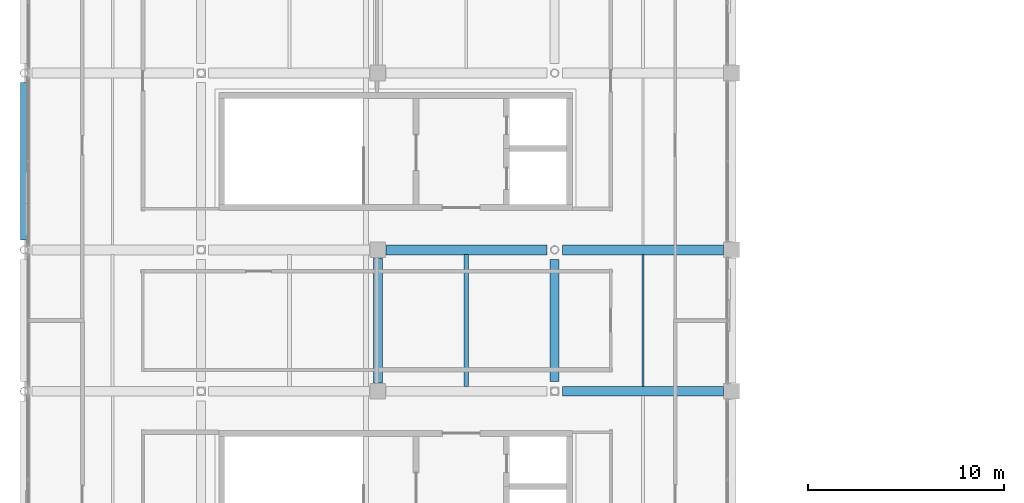
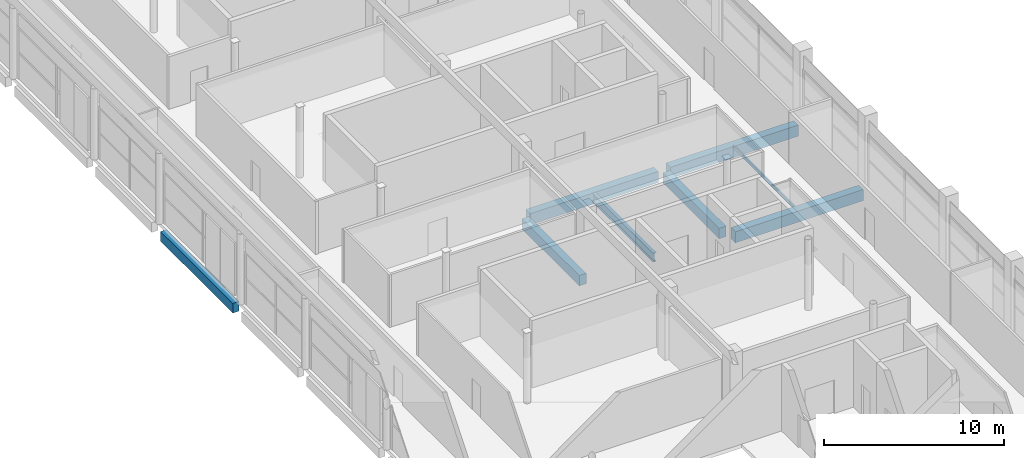
# One storey, part 25 of 114: 8 beams.
"""IFC4 building model written with IfcOpenShell, lengths in metres."""

from ifc_helpers import new_model, si_unit, direction, frame, origin, origin_2d, place, context, subcontext, project, spatial, rectangle, hollow_rectangle, i_section, extrude, material, material_profile, profile_set, type_object, element, save


model = new_model("IFC4")

# Units and contexts
model_context = context("Model", 3, precision=1e-05, world=origin(), true_north=direction((0.0, 1.0)))
body_context = subcontext(model_context, "Body", "Model", "MODEL_VIEW")
ifc_project = project(units=[si_unit("LENGTHUNIT", "METRE"), si_unit("AREAUNIT", "SQUARE_METRE"), si_unit("VOLUMEUNIT", "CUBIC_METRE"), si_unit("PLANEANGLEUNIT", "RADIAN"), si_unit("MASSUNIT", "GRAM", prefix="KILO"), si_unit("THERMODYNAMICTEMPERATUREUNIT", "KELVIN"), si_unit("POWERUNIT", "WATT")], contexts=[model_context])

# Site, building, storey
site_placement = place(None, origin())
site = spatial("IfcSite", under=ifc_project, at=site_placement, CompositionType="ELEMENT")
building_placement = place(site_placement, origin())
building = spatial("IfcBuilding", under=site, at=building_placement, Name="Sindhuravela Promenade Stadium", CompositionType="ELEMENT")
storey_placement = place(building_placement, frame((0.0, 0.0, 24.0)))
storey = spatial("IfcBuildingStorey", under=building, at=storey_placement, Name="L05", CompositionType="ELEMENT", Elevation=24.0)

# Beams
ifc_material_1 = material(Name="Concrete M40", Category="concrete")
ifc_material_profile_1 = material_profile(ifc_material_1, rectangle(XDim=0.39990234375, YDim=0.64990234375, at=origin_2d()), Name="RC 400x650")
ifc_profile_set_1 = profile_set([ifc_material_profile_1], Name="Concrete M40")
beam_type_1 = type_object("IfcBeamType", Name="RC-BM-400x650", PredefinedType="SPANDREL", material=ifc_profile_set_1)
beam_1_placement = place(storey_placement, frame((0.0, 85.090087890625, -0.574951171875), z_axis=(0.0, 1.0, 0.0), x_axis=(-1.0, 0.0, 0.0)))
element("IfcBeam", 1, at=beam_1_placement, inside=storey, type_object=beam_type_1, Name="Primary beam SP01 WEST L05", PredefinedType="SPANDREL", context=body_context, shape_type="SweptSolid", body=[
    extrude(rectangle(XDim=0.39990234375, YDim=0.64990234375, at=origin_2d()), origin(), (0.0, 0.0, 1.0), 8.02001953125),
])
ifc_material_profile_2 = material_profile(ifc_material_1, rectangle(XDim=0.449951171875, YDim=0.699951171875, at=origin_2d()), Name="RC 450x700")
ifc_profile_set_2 = profile_set([ifc_material_profile_2], Name="Concrete M40")
beam_type_2 = type_object("IfcBeamType", Name="RC-BM-450x700", PredefinedType="BEAM", material=ifc_profile_set_2)
beam_2_placement = place(storey_placement, frame((18.0, 77.81494140625, -0.60009765625), z_axis=(0.0, 1.0, 0.0), x_axis=(-1.0, 0.0, 0.0)))
element("IfcBeam", 2, at=beam_2_placement, inside=storey, type_object=beam_type_2, Name="Primary beam GB07 WEST L05", PredefinedType="BEAM", context=body_context, shape_type="SweptSolid", body=[
    extrude(rectangle(XDim=0.449951171875, YDim=0.699951171875, at=origin_2d()), origin(), (0.0, 0.0, 1.0), 6.3701171875),
])
beam_3_placement = place(storey_placement, frame((27.0, 77.889892578125, -0.60009765625), z_axis=(0.0, 1.0, 0.0), x_axis=(-1.0, 0.0, 0.0)))
element("IfcBeam", 3, at=beam_3_placement, inside=storey, type_object=beam_type_2, Name="Primary beam GB07 WEST L05", PredefinedType="BEAM", context=body_context, shape_type="SweptSolid", body=[
    extrude(rectangle(XDim=0.449951171875, YDim=0.699951171875, at=origin_2d()), origin(), (0.0, 0.0, 1.0), 6.22021484375),
])
ifc_material_profile_3 = material_profile(ifc_material_1, rectangle(XDim=0.5, YDim=0.75, at=origin_2d()), Name="RC 500x750")
ifc_profile_set_3 = profile_set([ifc_material_profile_3], Name="Concrete M40")
beam_type_3 = type_object("IfcBeamType", Name="RC-BM-500x750", PredefinedType="BEAM", material=ifc_profile_set_3)
for number, where, z_axis, x_axis, name in (
    (4, (27.389892578125, 77.39990234375, -0.625), (1.0, 0.0, 0.0), (0.0, 1.0, 0.0), "Primary girder GB06 WEST L05"),
    (5, (18.4150390625, 84.60009765625, -0.625), (1.0, 0.0, 0.0), (0.0, 1.0, 0.0), "Primary girder GB06 WEST L05"),
    (6, (27.389892578125, 84.60009765625, -0.625), (1.0, 0.0, 0.0), (0.0, 1.0, 0.0), "Primary girder GB06 WEST L05"),
):
    element("IfcBeam", number, at=place(storey_placement, frame(where, z_axis=z_axis, x_axis=x_axis)), inside=storey, type_object=beam_type_3, Name=name, PredefinedType="BEAM", context=body_context, shape_type="SweptSolid", body=[
        extrude(rectangle(XDim=0.5, YDim=0.75, at=origin_2d()), origin(), (0.0, 0.0, 1.0), 8.195068359375),
    ])
ifc_material_2 = material(Name="Steel E350 (IS 2062 E350BR)", Category="steel")
ifc_material_profile_4 = material_profile(ifc_material_2, hollow_rectangle(XDim=0.10009765625, YDim=0.199951171875, WallThickness=0.008056640625, at=origin_2d()), Name="RHS 200x100x8")
ifc_profile_set_4 = profile_set([ifc_material_profile_4], Name="Steel E350 (IS 2062 E350BR)")
beam_type_4 = type_object("IfcBeamType", Name="ST-BM-LNT200", PredefinedType="LINTEL", material=ifc_profile_set_4)
beam_4_placement = place(storey_placement, frame((31.5, 77.639892578125, -0.35009765625), z_axis=(0.0, 1.0, 0.0), x_axis=(-1.0, 0.0, 0.0)))
element("IfcBeam", 7, at=beam_4_placement, inside=storey, type_object=beam_type_4, Name="Secondary floor joist LN01 WEST L05", PredefinedType="LINTEL", context=body_context, shape_type="SweptSolid", body=[
    extrude(hollow_rectangle(XDim=0.10009765625, YDim=0.199951171875, WallThickness=0.008056640625, at=origin_2d()), origin(), (0.0, 0.0, 1.0), 6.72021484375),
])
ifc_material_profile_5 = material_profile(ifc_material_2, i_section(OverallWidth=0.2099609375, OverallDepth=0.60009765625, WebThickness=0.011962890625, FlangeThickness=0.020751953125, FilletRadius=0.02001953125, at=origin_2d()), Name="ISMB 600")
ifc_profile_set_5 = profile_set([ifc_material_profile_5], Name="Steel E350 (IS 2062 E350BR)")
beam_type_5 = type_object("IfcBeamType", Name="ST-BM-MB600", PredefinedType="BEAM", material=ifc_profile_set_5)
beam_5_placement = place(storey_placement, frame((22.5, 77.639892578125, -0.550048828125), z_axis=(0.0, 1.0, 0.0), x_axis=(-1.0, 0.0, 0.0)))
element("IfcBeam", 8, at=beam_5_placement, inside=storey, type_object=beam_type_5, Name="Secondary floor joist SB09 WEST L05", PredefinedType="BEAM", context=body_context, shape_type="SweptSolid", body=[
    extrude(i_section(OverallWidth=0.2099609375, OverallDepth=0.60009765625, WebThickness=0.011962890625, FlangeThickness=0.020751953125, FilletRadius=0.02001953125, at=origin_2d()), origin(), (0.0, 0.0, 1.0), 6.72021484375),
])

save(model, "model.ifc")
